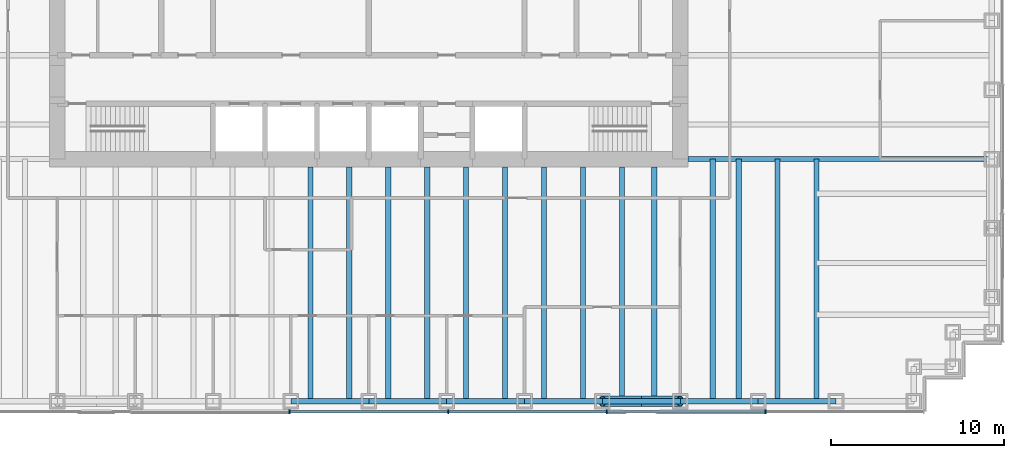
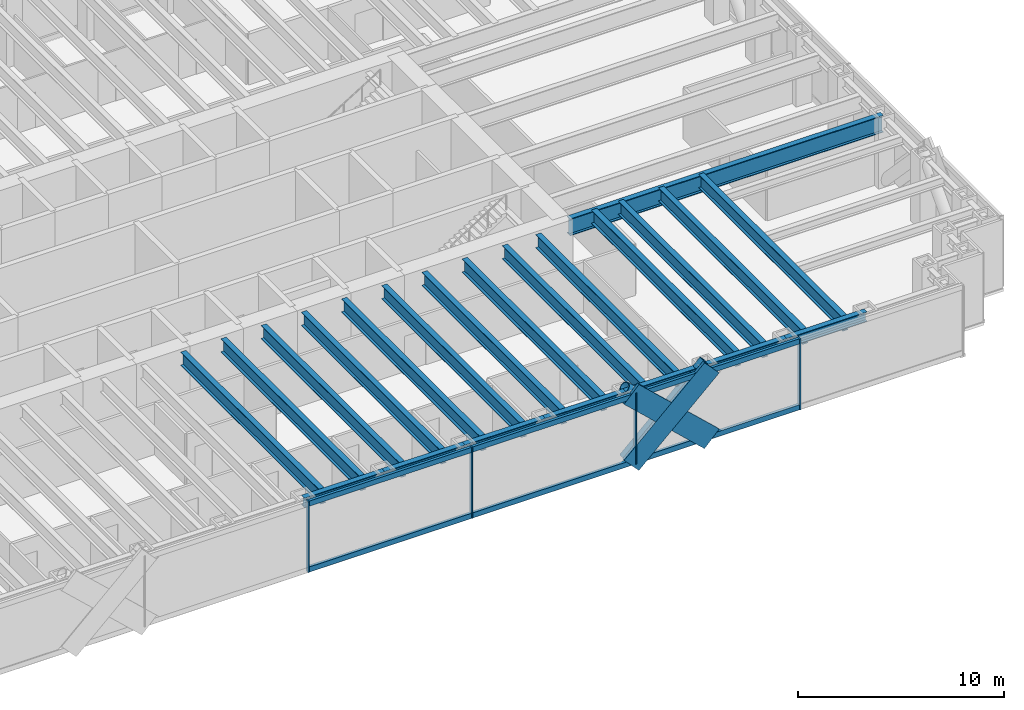
# One storey, part 4 of 15: 22 beams, 14 members, 1 element without a shape of its own.
"""IFC4 building model written with IfcOpenShell, lengths in metres."""

from ifc_helpers import new_model, si_unit, direction, frame, origin, origin_2d, place, context, subcontext, project, spatial, rectangle, hollow_circle, i_section, extrude, material, material_profile, profile_set, type_object, element, aggregate, save


model = new_model("IFC4")

# Units and contexts
model_context = context("Model", 3, precision=1e-05, world=origin(), true_north=direction((0.0, 1.0)))
body_context = subcontext(model_context, "Body", "Model", "MODEL_VIEW")
ifc_project = project(units=[si_unit("LENGTHUNIT", "METRE"), si_unit("AREAUNIT", "SQUARE_METRE"), si_unit("VOLUMEUNIT", "CUBIC_METRE"), si_unit("PLANEANGLEUNIT", "RADIAN"), si_unit("MASSUNIT", "GRAM", prefix="KILO")], contexts=[model_context])

# Site, building, storey
site_placement = place(None, origin())
site = spatial("IfcSite", under=ifc_project, at=site_placement, CompositionType="ELEMENT")
building_placement = place(site_placement, origin())
building = spatial("IfcBuilding", under=site, at=building_placement, Name="Rheinbord Bourse Tower", CompositionType="ELEMENT")
storey_placement = place(building_placement, frame((0.0, 0.0, 108.89990234375)))
storey = spatial("IfcBuildingStorey", under=building, at=storey_placement, Name="L23", CompositionType="ELEMENT", Elevation=108.89990234375)

# Curtain wall, members
ifc_material_1 = material(Name="Dark glass and black aluminium", Category="aluminium")
curtain_wall_type = type_object("IfcCurtainWallType", Name="CW2 DARK GLASS CURTAIN WALL", PredefinedType="USERDEFINED", material=ifc_material_1)
curtain_wall_placement = place(storey_placement, origin())
curtain_wall = element("IfcCurtainWall", 1, at=curtain_wall_placement, inside=storey, type_object=curtain_wall_type, Name="Curtain wall CW2 S L23", ObjectType="UNITISED CURTAIN WALL", PredefinedType="USERDEFINED")
ifc_material_2 = material(Name="Black anodised aluminium", Category="aluminium")
ifc_material_profile_1 = material_profile(ifc_material_2, rectangle(XDim=0.159912109375, YDim=1.2099609375, at=origin_2d()), Name="CW2 DIAGONAL MULLION 1210x160")
ifc_profile_set_1 = profile_set([ifc_material_profile_1], Name="Black anodised aluminium")
member_type_1 = type_object("IfcMemberType", Name="CW2 BLACK DIAGONAL MULLION", PredefinedType="USERDEFINED", material=ifc_profile_set_1)
member_1_placement = place(storey_placement, frame((49.5, 1.39990234375, 0.0), z_axis=(0.731039441158, 0.0, 0.682335207557), x_axis=(0.0, 1.0, 0.0)))
member_1 = element("IfcMember", 2, at=member_1_placement, type_object=member_type_1, Name="CW2 diagonal mullion b", ObjectType="DIAGONAL MULLION", PredefinedType="USERDEFINED", context=body_context, shape_type="SweptSolid", body=[
    extrude(rectangle(XDim=0.159912109375, YDim=1.2099609375, at=origin_2d()), origin(), (0.0, 0.0, 1.0), 6.155517578125),
])
member_2_placement = place(storey_placement, frame((54.0, 1.39990234375, 0.0), z_axis=(-0.731039441158, 0.0, 0.682335207557), x_axis=(0.0, -1.0, 0.0)))
member_2 = element("IfcMember", 3, at=member_2_placement, type_object=member_type_1, Name="CW2 diagonal mullion d", ObjectType="DIAGONAL MULLION", PredefinedType="USERDEFINED", context=body_context, shape_type="SweptSolid", body=[
    extrude(rectangle(XDim=0.159912109375, YDim=1.2099609375, at=origin_2d()), origin(), (0.0, 0.0, 1.0), 6.155517578125),
])
ifc_material_3 = material(Name="Black anodised aluminium", Category="aluminium")
ifc_material_profile_2 = material_profile(ifc_material_3, rectangle(XDim=0.219970703125, YDim=0.070068359375, at=origin_2d()), Name="CW2 MULLION 70x220")
ifc_profile_set_2 = profile_set([ifc_material_profile_2], Name="Black anodised aluminium")
member_type_2 = type_object("IfcMemberType", Name="CW2 BLACK MULLION", PredefinedType="MULLION", material=ifc_profile_set_2)
member_3_placement = place(storey_placement, frame((31.414306640625, 1.39990234375, 0.0), z_axis=(0.0, 0.0, 1.0), x_axis=(0.0, 1.0, 0.0)))
member_3 = element("IfcMember", 4, at=member_3_placement, type_object=member_type_2, Name="CW2 mullion 4", PredefinedType="MULLION", context=body_context, shape_type="SweptSolid", body=[
    extrude(rectangle(XDim=0.219970703125, YDim=0.070068359375, at=origin_2d()), origin(), (0.0, 0.0, 1.0), 4.2001953125),
])
member_4_placement = place(storey_placement, frame((40.585693359375, 1.39990234375, 0.0), z_axis=(0.0, 0.0, 1.0), x_axis=(0.0, 1.0, 0.0)))
member_4 = element("IfcMember", 5, at=member_4_placement, type_object=member_type_2, Name="CW2 mullion 5", PredefinedType="MULLION", context=body_context, shape_type="SweptSolid", body=[
    extrude(rectangle(XDim=0.219970703125, YDim=0.070068359375, at=origin_2d()), origin(), (0.0, 0.0, 1.0), 4.2001953125),
])
member_5_placement = place(storey_placement, frame((49.757080078125, 1.39990234375, 0.0), z_axis=(0.0, 0.0, 1.0), x_axis=(0.0, 1.0, 0.0)))
member_5 = element("IfcMember", 6, at=member_5_placement, type_object=member_type_2, Name="CW2 mullion 6", PredefinedType="MULLION", context=body_context, shape_type="SweptSolid", body=[
    extrude(rectangle(XDim=0.219970703125, YDim=0.070068359375, at=origin_2d()), origin(), (0.0, 0.0, 1.0), 4.2001953125),
])
member_6_placement = place(storey_placement, frame((58.928466796875, 1.39990234375, 0.0), z_axis=(0.0, 0.0, 1.0), x_axis=(0.0, 1.0, 0.0)))
member_6 = element("IfcMember", 7, at=member_6_placement, type_object=member_type_2, Name="CW2 mullion 7", PredefinedType="MULLION", context=body_context, shape_type="SweptSolid", body=[
    extrude(rectangle(XDim=0.219970703125, YDim=0.070068359375, at=origin_2d()), origin(), (0.0, 0.0, 1.0), 4.2001953125),
])
ifc_material_4 = material(Name="Black anodised aluminium", Category="aluminium")
ifc_material_profile_3 = material_profile(ifc_material_4, rectangle(XDim=0.159912109375, YDim=0.300048828125, at=origin_2d()), Name="CW2 TRANSOM 300x160")
ifc_profile_set_3 = profile_set([ifc_material_profile_3], Name="Black anodised aluminium")
member_type_3 = type_object("IfcMemberType", Name="CW2 BLACK TRANSOM", PredefinedType="USERDEFINED", material=ifc_profile_set_3)
member_7_placement = place(storey_placement, frame((31.44921875, 1.39990234375, 0.150146484375), z_axis=(1.0, 0.0, 0.0), x_axis=(0.0, 1.0, 0.0)))
member_7 = element("IfcMember", 8, at=member_7_placement, type_object=member_type_3, Name="CW2 transom 4.1", ObjectType="TRANSOM", PredefinedType="USERDEFINED", context=body_context, shape_type="SweptSolid", body=[
    extrude(rectangle(XDim=0.159912109375, YDim=0.300048828125, at=origin_2d()), origin(), (0.0, 0.0, 1.0), 9.1015625),
])
member_8_placement = place(storey_placement, frame((31.44921875, 1.39990234375, 4.050048828125), z_axis=(1.0, 0.0, 0.0), x_axis=(0.0, 1.0, 0.0)))
member_8 = element("IfcMember", 9, at=member_8_placement, type_object=member_type_3, Name="CW2 transom 4.2", ObjectType="TRANSOM", PredefinedType="USERDEFINED", context=body_context, shape_type="SweptSolid", body=[
    extrude(rectangle(XDim=0.159912109375, YDim=0.300048828125, at=origin_2d()), origin(), (0.0, 0.0, 1.0), 9.1015625),
])
member_9_placement = place(storey_placement, frame((40.62060546875, 1.39990234375, 0.150146484375), z_axis=(1.0, 0.0, 0.0), x_axis=(0.0, 1.0, 0.0)))
member_9 = element("IfcMember", 10, at=member_9_placement, type_object=member_type_3, Name="CW2 transom 5.1", ObjectType="TRANSOM", PredefinedType="USERDEFINED", context=body_context, shape_type="SweptSolid", body=[
    extrude(rectangle(XDim=0.159912109375, YDim=0.300048828125, at=origin_2d()), origin(), (0.0, 0.0, 1.0), 9.1015625),
])
member_10_placement = place(storey_placement, frame((40.62060546875, 1.39990234375, 4.050048828125), z_axis=(1.0, 0.0, 0.0), x_axis=(0.0, 1.0, 0.0)))
member_10 = element("IfcMember", 11, at=member_10_placement, type_object=member_type_3, Name="CW2 transom 5.2", ObjectType="TRANSOM", PredefinedType="USERDEFINED", context=body_context, shape_type="SweptSolid", body=[
    extrude(rectangle(XDim=0.159912109375, YDim=0.300048828125, at=origin_2d()), origin(), (0.0, 0.0, 1.0), 9.1015625),
])
member_11_placement = place(storey_placement, frame((49.792236328125, 1.39990234375, 0.150146484375), z_axis=(1.0, 0.0, 0.0), x_axis=(0.0, 1.0, 0.0)))
member_11 = element("IfcMember", 12, at=member_11_placement, type_object=member_type_3, Name="CW2 transom 6.1", ObjectType="TRANSOM", PredefinedType="USERDEFINED", context=body_context, shape_type="SweptSolid", body=[
    extrude(rectangle(XDim=0.159912109375, YDim=0.300048828125, at=origin_2d()), origin(), (0.0, 0.0, 1.0), 9.101318359375),
])
member_12_placement = place(storey_placement, frame((49.792236328125, 1.39990234375, 4.050048828125), z_axis=(1.0, 0.0, 0.0), x_axis=(0.0, 1.0, 0.0)))
member_12 = element("IfcMember", 13, at=member_12_placement, type_object=member_type_3, Name="CW2 transom 6.2", ObjectType="TRANSOM", PredefinedType="USERDEFINED", context=body_context, shape_type="SweptSolid", body=[
    extrude(rectangle(XDim=0.159912109375, YDim=0.300048828125, at=origin_2d()), origin(), (0.0, 0.0, 1.0), 9.101318359375),
])
aggregate(curtain_wall, [member_3, member_4, member_5, member_6, member_7, member_8, member_9, member_10, member_11, member_12, member_1, member_2])

# Beams
ifc_material_5 = material(Name="Steel S460", Category="steel")
ifc_material_profile_4 = material_profile(ifc_material_5, i_section(OverallWidth=0.300048828125, OverallDepth=0.800048828125, WebThickness=0.017578125, FlangeThickness=0.032958984375, at=origin_2d()), Name="HEB 800")
ifc_profile_set_4 = profile_set([ifc_material_profile_4], Name="Steel S460")
beam_type_1 = type_object("IfcBeamType", Name="FLOOR BEAM HEB 800", PredefinedType="BEAM", material=ifc_profile_set_4)
for number, where, z_axis, x_axis, name in (
    (14, (32.625, 2.0, 3.64013671875), (0.0, 1.0, 0.0), (-1.0, 0.0, 0.0), "Floor beam S-31.5a L24"),
    (15, (34.875, 2.0, 3.64013671875), (0.0, 1.0, 0.0), (-1.0, 0.0, 0.0), "Floor beam S-31.5b L24"),
    (16, (37.125, 2.0, 3.64013671875), (0.0, 1.0, 0.0), (-1.0, 0.0, 0.0), "Floor beam S-36a L24"),
    (17, (39.375, 2.0, 3.64013671875), (0.0, 1.0, 0.0), (-1.0, 0.0, 0.0), "Floor beam S-36b L24"),
    (18, (41.625, 2.0, 3.64013671875), (0.0, 1.0, 0.0), (-1.0, 0.0, 0.0), "Floor beam S-40.5a L24"),
    (19, (43.875, 2.0, 3.64013671875), (0.0, 1.0, 0.0), (-1.0, 0.0, 0.0), "Floor beam S-40.5b L24"),
    (20, (46.125, 2.0, 3.64013671875), (0.0, 1.0, 0.0), (-1.0, 0.0, 0.0), "Floor beam S-45a L24"),
    (21, (48.375, 2.0, 3.64013671875), (0.0, 1.0, 0.0), (-1.0, 0.0, 0.0), "Floor beam S-45b L24"),
    (22, (50.625, 2.0, 3.64013671875), (0.0, 1.0, 0.0), (-1.0, 0.0, 0.0), "Floor beam S-49.5a L24"),
    (23, (52.5, 2.0, 3.64013671875), (0.0, 1.0, 0.0), (-1.0, 0.0, 0.0), "Floor beam S-49.5b L24"),
):
    element("IfcBeam", number, at=place(storey_placement, frame(where, z_axis=z_axis, x_axis=x_axis)), inside=storey, type_object=beam_type_1, Name=name, PredefinedType="BEAM", context=body_context, shape_type="SweptSolid", body=[
        extrude(i_section(OverallWidth=0.300048828125, OverallDepth=0.800048828125, WebThickness=0.017578125, FlangeThickness=0.032958984375, at=origin_2d()), origin(), (0.0, 0.0, 1.0), 13.550048828125),
    ])
for number, where, z_axis, x_axis, name in (
    (24, (55.875, 2.0, 3.64013671875), (0.0, 1.0, 0.0), (-1.0, 0.0, 0.0), "Floor beam S-54a L24"),
    (25, (57.375, 2.0, 3.64013671875), (0.0, 1.0, 0.0), (-1.0, 0.0, 0.0), "Floor beam S-54b L24"),
    (26, (59.625, 2.0, 3.64013671875), (0.0, 1.0, 0.0), (-1.0, 0.0, 0.0), "Floor beam S-58.5a L24"),
    (27, (61.875, 2.0, 3.64013671875), (0.0, 1.0, 0.0), (-1.0, 0.0, 0.0), "Floor beam S-58.5b L24"),
):
    element("IfcBeam", number, at=place(storey_placement, frame(where, z_axis=z_axis, x_axis=x_axis)), inside=storey, type_object=beam_type_1, Name=name, PredefinedType="BEAM", context=body_context, shape_type="SweptSolid", body=[
        extrude(i_section(OverallWidth=0.300048828125, OverallDepth=0.800048828125, WebThickness=0.017578125, FlangeThickness=0.032958984375, at=origin_2d()), origin(), (0.0, 0.0, 1.0), 14.0),
    ])
ifc_material_6 = material(Name="Steel S460", Category="steel")
ifc_material_profile_5 = material_profile(ifc_material_6, i_section(OverallWidth=0.302001953125, OverallDepth=1.008056640625, WebThickness=0.02099609375, FlangeThickness=0.0400390625, at=origin_2d()), Name="HEM 1000")
ifc_profile_set_5 = profile_set([ifc_material_profile_5], Name="Steel S460")
beam_type_2 = type_object("IfcBeamType", Name="GIRDER HEM 1000", PredefinedType="BEAM", material=ifc_profile_set_5)
beam_placement = place(storey_placement, frame((54.449951171875, 16.0, 3.5361328125), z_axis=(1.0, 0.0, 0.0), x_axis=(0.0, 1.0, 0.0)))
element("IfcBeam", 28, at=beam_placement, inside=storey, type_object=beam_type_2, Name="Girder east 16 L24", PredefinedType="BEAM", context=body_context, shape_type="SweptSolid", body=[
    extrude(i_section(OverallWidth=0.302001953125, OverallDepth=1.008056640625, WebThickness=0.02099609375, FlangeThickness=0.0400390625, at=origin_2d()), origin(), (0.0, 0.0, 1.0), 17.550048828125),
])

# Members
ifc_material_7 = material(Name="Steel S460", Category="steel")
ifc_material_profile_6 = material_profile(ifc_material_7, hollow_circle(Radius=0.304931640625, WallThickness=0.0400390625, at=origin_2d()), Name="CHS 610x40")
ifc_profile_set_6 = profile_set([ifc_material_profile_6], Name="Steel S460")
member_type_4 = type_object("IfcMemberType", Name="MEGABRACE CHS 610x40", PredefinedType="BRACE", material=ifc_profile_set_6)
for number, where, z_axis, x_axis, name in (
    (29, (49.5, 2.0, 0.0), (0.731039441158, 0.0, 0.682335207557), (0.0, 1.0, 0.0), "Megabrace S face line b L23"),
    (30, (54.0, 2.0, 0.0), (-0.731039441158, 0.0, 0.682335207557), (0.0, -1.0, 0.0), "Megabrace S face line d L23"),
):
    element("IfcMember", number, at=place(storey_placement, frame(where, z_axis=z_axis, x_axis=x_axis)), inside=storey, type_object=member_type_4, Name=name, PredefinedType="BRACE", context=body_context, shape_type="SweptSolid", body=[
        extrude(hollow_circle(Radius=0.304931640625, WallThickness=0.0400390625, at=origin_2d()), origin(), (0.0, 0.0, 1.0), 6.155517578125),
    ])

# Beams
ifc_material_8 = material(Name="Steel S460", Category="steel")
ifc_material_profile_7 = material_profile(ifc_material_8, i_section(OverallWidth=0.305908203125, OverallDepth=0.572021484375, WebThickness=0.02099609375, FlangeThickness=0.0400390625, at=origin_2d()), Name="HEM 550")
ifc_profile_set_7 = profile_set([ifc_material_profile_7], Name="Steel S460")
beam_type_3 = type_object("IfcBeamType", Name="SPANDREL HEM 550", PredefinedType="SPANDREL", material=ifc_profile_set_7)
for number, where, z_axis, x_axis, name in (
    (31, (31.5, 2.0, 3.754150390625), (1.0, 0.0, 0.0), (0.0, 1.0, 0.0), "Spandrel S-31.5-S-36 under L24"),
    (32, (36.0, 2.0, 3.754150390625), (1.0, 0.0, 0.0), (0.0, 1.0, 0.0), "Spandrel S-36-S-40.5 under L24"),
    (33, (40.5, 2.0, 3.754150390625), (1.0, 0.0, 0.0), (0.0, 1.0, 0.0), "Spandrel S-40.5-S-45 under L24"),
    (34, (45.0, 2.0, 3.754150390625), (1.0, 0.0, 0.0), (0.0, 1.0, 0.0), "Spandrel S-45-S-49.5 under L24"),
    (35, (49.5, 2.0, 3.754150390625), (1.0, 0.0, 0.0), (0.0, 1.0, 0.0), "Spandrel S-49.5-S-54 under L24"),
    (36, (54.0, 2.0, 3.754150390625), (1.0, 0.0, 0.0), (0.0, 1.0, 0.0), "Spandrel S-54-S-58.5 under L24"),
    (37, (58.5, 2.0, 3.754150390625), (1.0, 0.0, 0.0), (0.0, 1.0, 0.0), "Spandrel S-58.5-S-63 under L24"),
):
    element("IfcBeam", number, at=place(storey_placement, frame(where, z_axis=z_axis, x_axis=x_axis)), inside=storey, type_object=beam_type_3, Name=name, PredefinedType="SPANDREL", context=body_context, shape_type="SweptSolid", body=[
        extrude(i_section(OverallWidth=0.305908203125, OverallDepth=0.572021484375, WebThickness=0.02099609375, FlangeThickness=0.0400390625, at=origin_2d()), origin(), (0.0, 0.0, 1.0), 4.5),
    ])

save(model, "model.ifc")
